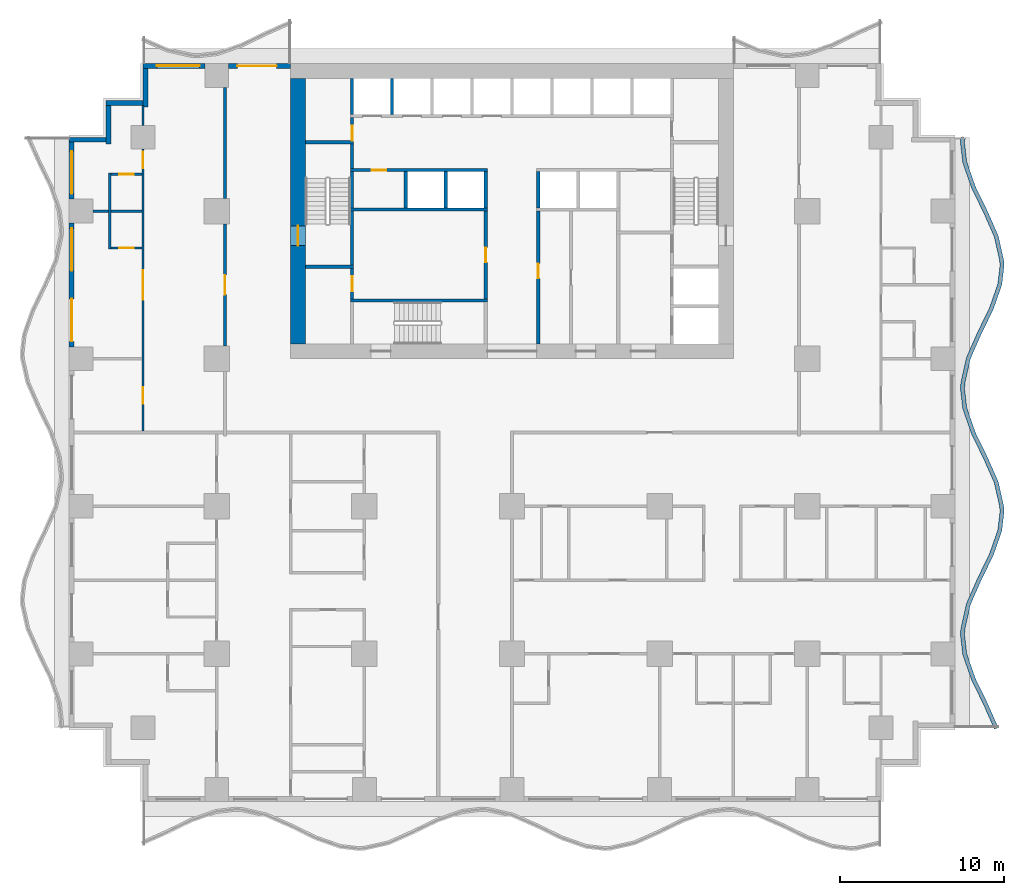
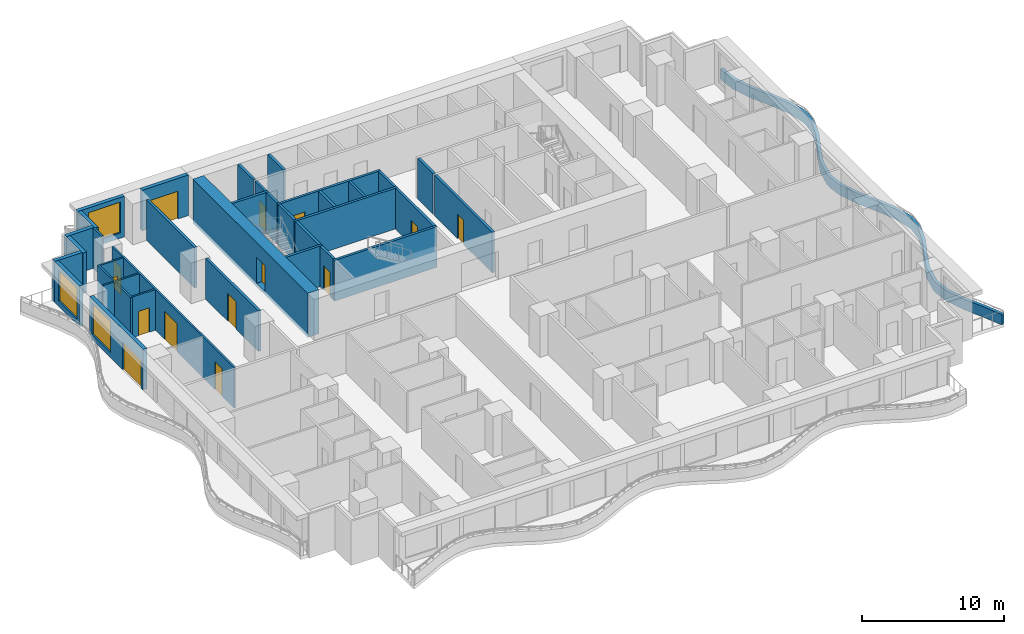
# One storey, part 5 of 14: 37 walls, 14 doors, 3 windows, 17 openings.
"""IFC4 building model written with IfcOpenShell, lengths in metres."""

from ifc_helpers import new_model, si_unit, direction, frame, frame_2d, origin, place, context, subcontext, project, spatial, polyline, rectangle, outline, extrude, material, layer, layer_set, type_object, element, fill, save


model = new_model("IFC4")

# Units and contexts
model_context = context("Model", 3, precision=1e-05, world=origin(), true_north=direction((0.0, 1.0)))
body_context = subcontext(model_context, "Body", "Model", "MODEL_VIEW")
ifc_project = project(units=[si_unit("LENGTHUNIT", "METRE"), si_unit("AREAUNIT", "SQUARE_METRE"), si_unit("VOLUMEUNIT", "CUBIC_METRE"), si_unit("PLANEANGLEUNIT", "RADIAN"), si_unit("MASSUNIT", "GRAM", prefix="KILO")], contexts=[model_context])

# Site, building, storey
site_placement = place(None, origin())
site = spatial("IfcSite", under=ifc_project, at=site_placement, CompositionType="ELEMENT")
building_placement = place(site_placement, origin())
building = spatial("IfcBuilding", under=site, at=building_placement, Name="Orbiselva Terraces", CompositionType="ELEMENT")
storey_placement = place(building_placement, frame((0.0, 0.0, 26.4)))
storey = spatial("IfcBuildingStorey", under=building, at=storey_placement, Name="L06", CompositionType="ELEMENT", Elevation=26.4)

# Wall, opening, door
ifc_material_1 = material(Name="Concrete C80/95", Category="concrete")
ifc_layer_1 = layer(ifc_material_1, 0.9)
ifc_layer_set_1 = layer_set([ifc_layer_1], Name="Concrete C80/95")
wall_type_1 = type_object("IfcWallType", Name="CORE WALL 900", PredefinedType="SHEAR", material=ifc_layer_set_1)
wall_1_placement = place(storey_placement, frame((-13.05, 21.6, -0.3), z_axis=(0.0, 0.0, 1.0), x_axis=(0.0, -1.0, 0.0)))
wall_1 = element("IfcWall", 1, at=wall_1_placement, inside=storey, type_object=wall_type_1, Name="Core wall L06 west", PredefinedType="SHEAR", context=body_context, shape_type="SweptSolid", body=[
    extrude(rectangle(XDim=16.2, YDim=0.9, at=frame_2d((8.1, 0.0))), origin(), (0.0, 0.0, 1.0), 3.8),
])
opening_1_placement = place(wall_1_placement, frame((9.0, 0.0, 0.3)))
opening_1 = element("IfcOpeningElement", 2, at=opening_1_placement, cuts=wall_1, Name="Opening DS1200", PredefinedType="OPENING", context=body_context, shape_type="SweptSolid", body=[
    extrude(rectangle(XDim=1.2, YDim=2.2, at=frame_2d((0.6, 1.1))), frame((0.0, 0.46, 0.0), z_axis=(0.0, -1.0, 0.0), x_axis=(1.0, 0.0, 0.0)), (0.0, 0.0, 1.0), 0.92),
])
ifc_material_2 = material(Name="Steel fire door", Category="steel")
door_type_1 = type_object("IfcDoorType", Name="STAIR DOOR 1200", OperationType="NOTDEFINED", PredefinedType="DOOR", material=ifc_material_2)
door_1_placement = place(opening_1_placement, frame((1.2, 0.0, 0.0), z_axis=(0.0, 0.0, 1.0), x_axis=(-1.0, 0.0, 0.0)))
door_1 = element("IfcDoor", 3, at=door_1_placement, inside=storey, type_object=door_type_1, Name="L06 EXIT STAIR S1 door", OperationType="SINGLE_SWING_RIGHT", OverallHeight=2.2, OverallWidth=1.2, PredefinedType="DOOR", context=body_context, shape_type="SweptSolid", body=[
    extrude(rectangle(XDim=1.2, YDim=2.2, at=frame_2d((0.6, 1.1))), frame((0.0, 0.025, 0.0), z_axis=(0.0, -1.0, 0.0), x_axis=(1.0, 0.0, 0.0)), (0.0, 0.0, 1.0), 0.05),
])
fill(opening_1, door_1)

ifc_material_3 = material(Name="Masonry blockwork", Category="masonry")
ifc_layer_2 = layer(ifc_material_3, 0.2)
ifc_layer_set_2 = layer_set([ifc_layer_2], Name="Masonry blockwork")
wall_type_2 = type_object("IfcWallType", Name="CORE-WALL-PARTITION-200", PredefinedType="PARTITIONING", material=ifc_layer_set_2)
wall_2_placement = place(storey_placement, frame((-9.75, 8.15, 0.0), z_axis=(0.0, 0.0, 1.0), x_axis=(0.0, 1.0, 0.0)))
wall_2 = element("IfcWall", 4, at=wall_2_placement, inside=storey, type_object=wall_type_2, Name="L06 core wall 05", PredefinedType="PARTITIONING", context=body_context, shape_type="SweptSolid", body=[
    extrude(rectangle(XDim=1.85, YDim=0.2, at=frame_2d((0.925, 0.0))), origin(), (0.0, 0.0, 1.0), 3.5),
])
opening_2_placement = place(wall_2_placement, frame((0.475, 0.0, 0.0)))
opening_2 = element("IfcOpeningElement", 5, at=opening_2_placement, cuts=wall_2, Name="Opening DR900", PredefinedType="OPENING", context=body_context, shape_type="SweptSolid", body=[
    extrude(rectangle(XDim=0.9, YDim=2.1, at=frame_2d((0.45, 1.05))), frame((0.0, 0.11, 0.0), z_axis=(0.0, -1.0, 0.0), x_axis=(1.0, 0.0, 0.0)), (0.0, 0.0, 1.0), 0.22),
])
door_type_2 = type_object("IfcDoorType", Name="ROOM DOOR 900", OperationType="NOTDEFINED", PredefinedType="DOOR", material=ifc_material_2)
door_2_placement = place(opening_2_placement, origin())
door_2 = element("IfcDoor", 6, at=door_2_placement, inside=storey, type_object=door_type_2, Name="L06 ACCESSIBLE WC door", OperationType="SINGLE_SWING_RIGHT", OverallHeight=2.1, OverallWidth=0.9, PredefinedType="DOOR", context=body_context, shape_type="SweptSolid", body=[
    extrude(rectangle(XDim=0.9, YDim=2.1, at=frame_2d((0.45, 1.05))), frame((0.0, 0.025, 0.0), z_axis=(0.0, -1.0, 0.0), x_axis=(1.0, 0.0, 0.0)), (0.0, 0.0, 1.0), 0.05),
])
fill(opening_2, door_2)

wall_3_placement = place(storey_placement, frame((-9.75, 17.8, 0.0), z_axis=(0.0, 0.0, 1.0), x_axis=(0.0, 1.0, 0.0)))
wall_3 = element("IfcWall", 7, at=wall_3_placement, inside=storey, type_object=wall_type_2, Name="L06 core wall 11", PredefinedType="PARTITIONING", context=body_context, shape_type="SweptSolid", body=[
    extrude(rectangle(XDim=1.4, YDim=0.2, at=frame_2d((0.7, 0.0))), origin(), (0.0, 0.0, 1.0), 3.5),
])
opening_3_placement = place(wall_3_placement, origin())
opening_3 = element("IfcOpeningElement", 8, at=opening_3_placement, cuts=wall_3, Name="Opening DR900", PredefinedType="OPENING", context=body_context, shape_type="SweptSolid", body=[
    extrude(rectangle(XDim=0.9, YDim=2.1, at=frame_2d((0.45, 1.05))), frame((0.0, 0.11, 0.0), z_axis=(0.0, -1.0, 0.0), x_axis=(1.0, 0.0, 0.0)), (0.0, 0.0, 1.0), 0.22),
])
door_3_placement = place(opening_3_placement, origin())
door_3 = element("IfcDoor", 9, at=door_3_placement, inside=storey, type_object=door_type_2, Name="L06 COMMS RISER ROOM door", OperationType="SINGLE_SWING_LEFT", OverallHeight=2.1, OverallWidth=0.9, PredefinedType="DOOR", context=body_context, shape_type="SweptSolid", body=[
    extrude(rectangle(XDim=0.9, YDim=2.1, at=frame_2d((0.45, 1.05))), frame((0.0, 0.025, 0.0), z_axis=(0.0, -1.0, 0.0), x_axis=(1.0, 0.0, 0.0)), (0.0, 0.0, 1.0), 0.05),
])
fill(opening_3, door_3)

# Walls
ifc_material_4 = material(Name="Concrete C40/50", Category="concrete")
ifc_layer_3 = layer(ifc_material_4, 0.2)
ifc_layer_set_3 = layer_set([ifc_layer_3], Name="Concrete C40/50")
wall_type_3 = type_object("IfcWallType", Name="CORE-WALL-SHAFT-200", PredefinedType="PARTITIONING", material=ifc_layer_set_3)
for number, where, z_axis, x_axis, name in (
    (10, (-9.75, 19.4, 0.0), (0.0, 0.0, 1.0), (0.0, 1.0, 0.0), "L06 core wall 13"),
    (11, (-7.3125, 19.4, 0.0), (0.0, 0.0, 1.0), (0.0, 1.0, 0.0), "L06 core wall 14"),
    (12, (-6.475, 13.7, 0.0), (0.0, 0.0, 1.0), (0.0, 1.0, 0.0), "L06 core wall 15"),
    (13, (-4.0375, 13.7, 0.0), (0.0, 0.0, 1.0), (0.0, 1.0, 0.0), "L06 core wall 17"),
    (14, (-1.6, 13.7, 0.0), (0.0, 0.0, 1.0), (0.0, 1.0, 0.0), "L06 core wall 21"),
    (15, (1.6, 13.7, 0.0), (0.0, 0.0, 1.0), (0.0, 1.0, 0.0), "L06 core wall 25"),
):
    element("IfcWall", number, at=place(storey_placement, frame(where, z_axis=z_axis, x_axis=x_axis)), inside=storey, type_object=wall_type_3, Name=name, PredefinedType="PARTITIONING", context=body_context, shape_type="SweptSolid", body=[
        extrude(rectangle(XDim=2.2, YDim=0.2, at=frame_2d((1.1, 0.0))), origin(), (0.0, 0.0, 1.0), 3.5),
    ])
ifc_material_5 = material(Name="Concrete C60/75", Category="concrete")
ifc_layer_4 = layer(ifc_material_5, 0.2)
ifc_layer_set_4 = layer_set([ifc_layer_4], Name="Concrete C60/75")
wall_type_4 = type_object("IfcWallType", Name="CORE-WALL-SHEAR-200", PredefinedType="SHEAR", material=ifc_layer_set_4)
for number, where, z_axis, x_axis, name in (
    (16, (-12.6, 10.1, 0.0), (0.0, 0.0, 1.0), (1.0, 0.0, 0.0), "L06 core wall 01"),
    (17, (-12.6, 17.7, 0.0), (0.0, 0.0, 1.0), (1.0, 0.0, 0.0), "L06 core wall 02"),
):
    element("IfcWall", number, at=place(storey_placement, frame(where, z_axis=z_axis, x_axis=x_axis)), inside=storey, type_object=wall_type_4, Name=name, PredefinedType="SHEAR", context=body_context, shape_type="SweptSolid", body=[
        extrude(rectangle(XDim=2.95, YDim=0.2, at=frame_2d((1.475, 0.0))), origin(), (0.0, 0.0, 1.0), 3.5),
    ])
wall_4_placement = place(storey_placement, frame((-9.85, 8.05, 0.0), z_axis=(0.0, 0.0, 1.0), x_axis=(1.0, 0.0, 0.0)))
element("IfcWall", 18, at=wall_4_placement, inside=storey, type_object=wall_type_4, Name="L06 core wall 04", PredefinedType="SHEAR", context=body_context, shape_type="SweptSolid", body=[
    extrude(rectangle(XDim=8.35, YDim=0.2, at=frame_2d((4.175, 0.0))), origin(), (0.0, 0.0, 1.0), 3.5),
])
wall_5_placement = place(storey_placement, frame((-9.75, 10.2, 0.0), z_axis=(0.0, 0.0, 1.0), x_axis=(0.0, 1.0, 0.0)))
element("IfcWall", 19, at=wall_5_placement, inside=storey, type_object=wall_type_4, Name="L06 core wall 06", PredefinedType="SHEAR", context=body_context, shape_type="SweptSolid", body=[
    extrude(rectangle(XDim=3.3, YDim=0.2, at=frame_2d((1.65, 0.0))), origin(), (0.0, 0.0, 1.0), 3.5),
])
wall_6_placement = place(storey_placement, frame((-9.85, 13.6, 0.0), z_axis=(0.0, 0.0, 1.0), x_axis=(1.0, 0.0, 0.0)))
element("IfcWall", 20, at=wall_6_placement, inside=storey, type_object=wall_type_4, Name="L06 core wall 07", PredefinedType="SHEAR", context=body_context, shape_type="SweptSolid", body=[
    extrude(rectangle(XDim=8.35, YDim=0.2, at=frame_2d((4.175, 0.0))), origin(), (0.0, 0.0, 1.0), 3.5),
])
wall_7_placement = place(storey_placement, frame((-9.75, 13.7, 0.0), z_axis=(0.0, 0.0, 1.0), x_axis=(0.0, 1.0, 0.0)))
element("IfcWall", 21, at=wall_7_placement, inside=storey, type_object=wall_type_4, Name="L06 core wall 08", PredefinedType="SHEAR", context=body_context, shape_type="SweptSolid", body=[
    extrude(rectangle(XDim=2.2, YDim=0.2, at=frame_2d((1.1, 0.0))), origin(), (0.0, 0.0, 1.0), 3.5),
])

# Wall, opening, door
wall_8_placement = place(storey_placement, frame((-1.5, 16.0, 0.0), z_axis=(0.0, 0.0, 1.0), x_axis=(-1.0, 0.0, 0.0)))
wall_8 = element("IfcWall", 22, at=wall_8_placement, inside=storey, type_object=wall_type_4, Name="L06 core wall 09", PredefinedType="SHEAR", context=body_context, shape_type="SweptSolid", body=[
    extrude(rectangle(XDim=8.35, YDim=0.2, at=frame_2d((4.175, 0.0))), origin(), (0.0, 0.0, 1.0), 3.5),
])
opening_4_placement = place(wall_8_placement, frame((6.1625, 0.0, 0.0)))
opening_4 = element("IfcOpeningElement", 23, at=opening_4_placement, cuts=wall_8, Name="Opening DR900", PredefinedType="OPENING", context=body_context, shape_type="SweptSolid", body=[
    extrude(rectangle(XDim=0.9, YDim=2.1, at=frame_2d((0.45, 1.05))), frame((0.0, 0.11, 0.0), z_axis=(0.0, -1.0, 0.0), x_axis=(1.0, 0.0, 0.0)), (0.0, 0.0, 1.0), 0.22),
])
door_4_placement = place(opening_4_placement, origin())
door_4 = element("IfcDoor", 24, at=door_4_placement, inside=storey, type_object=door_type_2, Name="L06 IT ROOM door", OperationType="SINGLE_SWING_RIGHT", OverallHeight=2.1, OverallWidth=0.9, PredefinedType="DOOR", context=body_context, shape_type="SweptSolid", body=[
    extrude(rectangle(XDim=0.9, YDim=2.1, at=frame_2d((0.45, 1.05))), frame((0.0, 0.025, 0.0), z_axis=(0.0, -1.0, 0.0), x_axis=(1.0, 0.0, 0.0)), (0.0, 0.0, 1.0), 0.05),
])
fill(opening_4, door_4)

# Wall
wall_9_placement = place(storey_placement, frame((-9.75, 16.1, 0.0), z_axis=(0.0, 0.0, 1.0), x_axis=(0.0, 1.0, 0.0)))
element("IfcWall", 25, at=wall_9_placement, inside=storey, type_object=wall_type_4, Name="L06 core wall 10", PredefinedType="SHEAR", context=body_context, shape_type="SweptSolid", body=[
    extrude(rectangle(XDim=1.5, YDim=0.2, at=frame_2d((0.75, 0.0))), origin(), (0.0, 0.0, 1.0), 3.5),
])

# Wall, opening, door
wall_10_placement = place(storey_placement, frame((-1.6, 8.15, 0.0), z_axis=(0.0, 0.0, 1.0), x_axis=(0.0, 1.0, 0.0)))
wall_10 = element("IfcWall", 26, at=wall_10_placement, inside=storey, type_object=wall_type_4, Name="L06 core wall 20", PredefinedType="SHEAR", context=body_context, shape_type="SweptSolid", body=[
    extrude(rectangle(XDim=5.35, YDim=0.2, at=frame_2d((2.675, 0.0))), origin(), (0.0, 0.0, 1.0), 3.5),
])
opening_5_placement = place(wall_10_placement, frame((2.225, 0.0, 0.0)))
opening_5 = element("IfcOpeningElement", 27, at=opening_5_placement, cuts=wall_10, Name="Opening DR900", PredefinedType="OPENING", context=body_context, shape_type="SweptSolid", body=[
    extrude(rectangle(XDim=0.9, YDim=2.1, at=frame_2d((0.45, 1.05))), frame((0.0, 0.11, 0.0), z_axis=(0.0, -1.0, 0.0), x_axis=(1.0, 0.0, 0.0)), (0.0, 0.0, 1.0), 0.22),
])
door_5_placement = place(opening_5_placement, origin())
door_5 = element("IfcDoor", 28, at=door_5_placement, inside=storey, type_object=door_type_2, Name="L06 LINEN STORE door", OperationType="SINGLE_SWING_RIGHT", OverallHeight=2.1, OverallWidth=0.9, PredefinedType="DOOR", context=body_context, shape_type="SweptSolid", body=[
    extrude(rectangle(XDim=0.9, YDim=2.1, at=frame_2d((0.45, 1.05))), frame((0.0, 0.025, 0.0), z_axis=(0.0, -1.0, 0.0), x_axis=(1.0, 0.0, 0.0)), (0.0, 0.0, 1.0), 0.05),
])
fill(opening_5, door_5)

wall_11_placement = place(storey_placement, frame((1.6, 13.5, 0.0), z_axis=(0.0, 0.0, 1.0), x_axis=(0.0, -1.0, 0.0)))
wall_11 = element("IfcWall", 29, at=wall_11_placement, inside=storey, type_object=wall_type_4, Name="L06 core wall 23", PredefinedType="SHEAR", context=body_context, shape_type="SweptSolid", body=[
    extrude(rectangle(XDim=8.1, YDim=0.2, at=frame_2d((4.05, 0.0))), origin(), (0.0, 0.0, 1.0), 3.5),
])
opening_6_placement = place(wall_11_placement, frame((3.2, 0.0, 0.0)))
opening_6 = element("IfcOpeningElement", 30, at=opening_6_placement, cuts=wall_11, Name="Opening DR900", PredefinedType="OPENING", context=body_context, shape_type="SweptSolid", body=[
    extrude(rectangle(XDim=0.9, YDim=2.1, at=frame_2d((0.45, 1.05))), frame((0.0, 0.11, 0.0), z_axis=(0.0, -1.0, 0.0), x_axis=(1.0, 0.0, 0.0)), (0.0, 0.0, 1.0), 0.22),
])
door_6_placement = place(opening_6_placement, origin())
door_6 = element("IfcDoor", 31, at=door_6_placement, inside=storey, type_object=door_type_2, Name="L06 COMMS ROOM door", OperationType="SINGLE_SWING_LEFT", OverallHeight=2.1, OverallWidth=0.9, PredefinedType="DOOR", context=body_context, shape_type="SweptSolid", body=[
    extrude(rectangle(XDim=0.9, YDim=2.1, at=frame_2d((0.45, 1.05))), frame((0.0, 0.025, 0.0), z_axis=(0.0, -1.0, 0.0), x_axis=(1.0, 0.0, 0.0)), (0.0, 0.0, 1.0), 0.05),
])
fill(opening_6, door_6)

# Wall
ifc_layer_5 = layer(ifc_material_4, 0.25)
ifc_layer_set_5 = layer_set([ifc_layer_5], Name="Concrete C40/50")
wall_type_5 = type_object("IfcWallType", Name="ENV-PLANTER-250x900", PredefinedType="USERDEFINED", material=ifc_layer_set_5)
wall_12_placement = place(storey_placement, origin())
element("IfcWall", 32, at=wall_12_placement, inside=storey, type_object=wall_type_5, Name="Balcony planter L06 E", ObjectType="PLANTER", PredefinedType="USERDEFINED", context=body_context, shape_type="SweptSolid", body=[
    extrude(outline(polyline([(29.648528, -18.0), (28.987721, -16.5), (28.255211, -15.0), (27.730792, -13.5), (27.6, -12.375), (27.614774, -12.0), (27.951472, -10.5), (28.612279, -9.0), (29.344789, -7.5), (29.869208, -6.0), (30.0, -4.875), (29.985226, -4.5), (29.648528, -3.0), (28.987721, -1.5), (28.255211, 0.0), (27.730792, 1.5), (27.6, 2.625), (27.614774, 3.0), (27.951472, 4.5), (28.612279, 6.0), (29.344789, 7.5), (29.869208, 9.0), (30.0, 10.125), (29.985226, 10.5), (29.648528, 12.0), (28.987721, 13.5), (28.255211, 15.0), (27.730792, 16.5), (27.6, 17.625), (27.614774, 18.0), (27.364968, 18.009842), (27.349429, 17.615428), (27.485662, 16.443629), (28.024089, 14.90356), (28.760919, 13.394714), (29.40993, 11.921492), (29.736315, 10.467435), (29.749429, 10.134572), (29.624078, 9.056371), (29.113667, 7.59644), (28.385477, 6.105286), (27.712874, 4.578508), (27.365863, 3.032565), (27.349429, 2.615428), (27.485662, 1.443629), (28.024089, -0.09644), (28.760919, -1.605286), (29.40993, -3.078508), (29.736315, -4.532565), (29.749429, -4.865428), (29.624078, -5.943629), (29.113667, -7.40356), (28.385477, -8.894714), (27.712874, -10.421492), (27.365863, -11.967435), (27.349429, -12.384572), (27.485662, -13.556371), (28.024089, -15.09644), (28.760919, -16.605286), (29.419745, -18.100788), (29.648528, -18.0)])), origin(), (0.0, 0.0, 1.0), 0.9),
])

# Wall, opening, door
ifc_material_6 = material(Name="Terracotta cladding on masonry backing", Category="masonry")
ifc_layer_6 = layer(ifc_material_6, 0.3)
ifc_layer_set_6 = layer_set([ifc_layer_6], Name="Terracotta cladding on masonry backing")
wall_type_6 = type_object("IfcWallType", Name="ENV-WALL-TERRACOTTA-300", PredefinedType="SOLIDWALL", material=ifc_layer_set_6)
wall_13_placement = place(storey_placement, frame((-17.275, 22.35, 0.0), z_axis=(0.0, 0.0, 1.0), x_axis=(1.0, 0.0, 0.0)))
wall_13 = element("IfcWall", 33, at=wall_13_placement, inside=storey, type_object=wall_type_6, Name="Facade wall L06 NW", PredefinedType="SOLIDWALL", context=body_context, shape_type="SweptSolid", body=[
    extrude(rectangle(XDim=3.775, YDim=0.3, at=frame_2d((1.8875, 0.0))), origin(), (0.0, 0.0, 1.0), 3.5),
])
opening_7_placement = place(wall_13_placement, frame((0.525, 0.0, 0.0)))
opening_7 = element("IfcOpeningElement", 34, at=opening_7_placement, cuts=wall_13, Name="Opening Z1-B-E09", PredefinedType="OPENING", context=body_context, shape_type="SweptSolid", body=[
    extrude(rectangle(XDim=2.4, YDim=2.4, at=frame_2d((1.2, 1.2))), frame((0.0, 0.16, 0.0), z_axis=(0.0, -1.0, 0.0), x_axis=(1.0, 0.0, 0.0)), (0.0, 0.0, 1.0), 0.32),
])
ifc_material_7 = material(Name="Clear low-e glazing in aluminium frame", Category="aluminium")
door_type_3 = type_object("IfcDoorType", Name="BALCONY DOOR 2400 X 2400", OperationType="DOUBLE_DOOR_SLIDING", PredefinedType="DOOR", material=ifc_material_7)
door_7_placement = place(opening_7_placement, origin())
door_7 = element("IfcDoor", 35, at=door_7_placement, inside=storey, type_object=door_type_3, Name="Z1-B-E09", OperationType="SINGLE_SWING_LEFT", OverallHeight=2.4, OverallWidth=2.4, PredefinedType="DOOR", context=body_context, shape_type="SweptSolid", body=[
    extrude(rectangle(XDim=2.4, YDim=2.4, at=frame_2d((1.2, 1.2))), frame((0.0, 0.025, 0.0), z_axis=(0.0, -1.0, 0.0), x_axis=(1.0, 0.0, 0.0)), (0.0, 0.0, 1.0), 0.05),
])
fill(opening_7, door_7)

# Wall, opening, window
wall_14_placement = place(storey_placement, frame((-22.5, 22.35, 0.0), z_axis=(0.0, 0.0, 1.0), x_axis=(1.0, 0.0, 0.0)))
wall_14 = element("IfcWall", 36, at=wall_14_placement, inside=storey, type_object=wall_type_6, Name="Facade wall L06 NW", PredefinedType="SOLIDWALL", context=body_context, shape_type="SweptSolid", body=[
    extrude(rectangle(XDim=3.775, YDim=0.3, at=frame_2d((1.8875, 0.0))), origin(), (0.0, 0.0, 1.0), 3.5),
])
opening_8_placement = place(wall_14_placement, frame((0.85, 0.0, 0.45)))
opening_8 = element("IfcOpeningElement", 37, at=opening_8_placement, cuts=wall_14, Name="Opening WN1", PredefinedType="OPENING", context=body_context, shape_type="SweptSolid", body=[
    extrude(rectangle(XDim=2.6, YDim=2.65, at=frame_2d((1.3, 1.325))), frame((0.0, 0.16, 0.0), z_axis=(0.0, -1.0, 0.0), x_axis=(1.0, 0.0, 0.0)), (0.0, 0.0, 1.0), 0.32),
])
window_type = type_object("IfcWindowType", Name="WINDOW 2600 X 2650 S450", PartitioningType="TRIPLE_PANEL_VERTICAL", PredefinedType="WINDOW", material=ifc_material_7)
window_1_placement = place(opening_8_placement, origin())
window_1 = element("IfcWindow", 38, at=window_1_placement, inside=storey, type_object=window_type, Name="Window L06 NW", OverallHeight=2.65, OverallWidth=2.6, PartitioningType="SINGLE_PANEL", PredefinedType="WINDOW", context=body_context, shape_type="SweptSolid", body=[
    extrude(rectangle(XDim=2.6, YDim=2.65, at=frame_2d((1.3, 1.325))), frame((0.0, 0.03, 0.0), z_axis=(0.0, -1.0, 0.0), x_axis=(1.0, 0.0, 0.0)), (0.0, 0.0, 1.0), 0.06),
])
fill(opening_8, window_1)

# Walls
wall_15_placement = place(storey_placement, frame((-22.35, 19.85, 0.0), z_axis=(0.0, 0.0, 1.0), x_axis=(0.0, 1.0, 0.0)))
element("IfcWall", 39, at=wall_15_placement, inside=storey, type_object=wall_type_6, Name="Facade wall L06 STEP", PredefinedType="SOLIDWALL", context=body_context, shape_type="SweptSolid", body=[
    extrude(rectangle(XDim=2.35, YDim=0.3, at=frame_2d((1.175, 0.0))), origin(), (0.0, 0.0, 1.0), 3.5),
])
wall_16_placement = place(storey_placement, frame((-24.75, 20.1, 0.0), z_axis=(0.0, 0.0, 1.0), x_axis=(1.0, 0.0, 0.0)))
element("IfcWall", 40, at=wall_16_placement, inside=storey, type_object=wall_type_6, Name="Facade wall L06 STEP", PredefinedType="SOLIDWALL", context=body_context, shape_type="SweptSolid", body=[
    extrude(rectangle(XDim=2.25, YDim=0.3, at=frame_2d((1.125, 0.0))), origin(), (0.0, 0.0, 1.0), 3.5),
])
wall_17_placement = place(storey_placement, frame((-24.6, 17.6, 0.0), z_axis=(0.0, 0.0, 1.0), x_axis=(0.0, 1.0, 0.0)))
element("IfcWall", 41, at=wall_17_placement, inside=storey, type_object=wall_type_6, Name="Facade wall L06 STEP", PredefinedType="SOLIDWALL", context=body_context, shape_type="SweptSolid", body=[
    extrude(rectangle(XDim=2.35, YDim=0.3, at=frame_2d((1.175, 0.0))), origin(), (0.0, 0.0, 1.0), 3.5),
])
wall_18_placement = place(storey_placement, frame((-27.0, 17.85, 0.0), z_axis=(0.0, 0.0, 1.0), x_axis=(1.0, 0.0, 0.0)))
element("IfcWall", 42, at=wall_18_placement, inside=storey, type_object=wall_type_6, Name="Facade wall L06 STEP", PredefinedType="SOLIDWALL", context=body_context, shape_type="SweptSolid", body=[
    extrude(rectangle(XDim=2.25, YDim=0.3, at=frame_2d((1.125, 0.0))), origin(), (0.0, 0.0, 1.0), 3.5),
])

# Wall, opening, window
wall_19_placement = place(storey_placement, frame((-26.85, 14.225, 0.0), z_axis=(0.0, 0.0, 1.0), x_axis=(0.0, 1.0, 0.0)))
wall_19 = element("IfcWall", 43, at=wall_19_placement, inside=storey, type_object=wall_type_6, Name="Facade wall L06 W", PredefinedType="SOLIDWALL", context=body_context, shape_type="SweptSolid", body=[
    extrude(rectangle(XDim=3.475, YDim=0.3, at=frame_2d((1.7375, 0.0))), origin(), (0.0, 0.0, 1.0), 3.5),
])
opening_9_placement = place(wall_19_placement, frame((0.325, 0.0, 0.45)))
opening_9 = element("IfcOpeningElement", 44, at=opening_9_placement, cuts=wall_19, Name="Opening WN1", PredefinedType="OPENING", context=body_context, shape_type="SweptSolid", body=[
    extrude(rectangle(XDim=2.6, YDim=2.65, at=frame_2d((1.3, 1.325))), frame((0.0, 0.16, 0.0), z_axis=(0.0, -1.0, 0.0), x_axis=(1.0, 0.0, 0.0)), (0.0, 0.0, 1.0), 0.32),
])
window_2_placement = place(opening_9_placement, origin())
window_2 = element("IfcWindow", 45, at=window_2_placement, inside=storey, type_object=window_type, Name="Window L06 W", OverallHeight=2.65, OverallWidth=2.6, PartitioningType="SINGLE_PANEL", PredefinedType="WINDOW", context=body_context, shape_type="SweptSolid", body=[
    extrude(rectangle(XDim=2.6, YDim=2.65, at=frame_2d((1.3, 1.325))), frame((0.0, 0.03, 0.0), z_axis=(0.0, -1.0, 0.0), x_axis=(1.0, 0.0, 0.0)), (0.0, 0.0, 1.0), 0.06),
])
fill(opening_9, window_2)

# Wall, openings, door, window
wall_20_placement = place(storey_placement, frame((-26.85, 5.225, 0.0), z_axis=(0.0, 0.0, 1.0), x_axis=(0.0, 1.0, 0.0)))
wall_20 = element("IfcWall", 46, at=wall_20_placement, inside=storey, type_object=wall_type_6, Name="Facade wall L06 W", PredefinedType="SOLIDWALL", context=body_context, shape_type="SweptSolid", body=[
    extrude(rectangle(XDim=7.55, YDim=0.3, at=frame_2d((3.775, 0.0))), origin(), (0.0, 0.0, 1.0), 3.5),
])
opening_10_placement = place(wall_20_placement, frame((4.625, 0.0, 0.45)))
opening_10 = element("IfcOpeningElement", 47, at=opening_10_placement, cuts=wall_20, Name="Opening WN1", PredefinedType="OPENING", context=body_context, shape_type="SweptSolid", body=[
    extrude(rectangle(XDim=2.6, YDim=2.65, at=frame_2d((1.3, 1.325))), frame((0.0, 0.16, 0.0), z_axis=(0.0, -1.0, 0.0), x_axis=(1.0, 0.0, 0.0)), (0.0, 0.0, 1.0), 0.32),
])
opening_11_placement = place(wall_20_placement, frame((0.325, 0.0, 0.0)))
opening_11 = element("IfcOpeningElement", 48, at=opening_11_placement, cuts=wall_20, Name="Opening Z1-B-E10", PredefinedType="OPENING", context=body_context, shape_type="SweptSolid", body=[
    extrude(rectangle(XDim=2.6, YDim=2.4, at=frame_2d((1.3, 1.2))), frame((0.0, 0.16, 0.0), z_axis=(0.0, -1.0, 0.0), x_axis=(1.0, 0.0, 0.0)), (0.0, 0.0, 1.0), 0.32),
])
door_type_4 = type_object("IfcDoorType", Name="BALCONY DOOR 2600 X 2400", OperationType="DOUBLE_DOOR_SLIDING", PredefinedType="DOOR", material=ifc_material_7)
door_8_placement = place(opening_11_placement, origin())
door_8 = element("IfcDoor", 49, at=door_8_placement, inside=storey, type_object=door_type_4, Name="Z1-B-E10", OperationType="SINGLE_SWING_LEFT", OverallHeight=2.4, OverallWidth=2.6, PredefinedType="DOOR", context=body_context, shape_type="SweptSolid", body=[
    extrude(rectangle(XDim=2.6, YDim=2.4, at=frame_2d((1.3, 1.2))), frame((0.0, 0.025, 0.0), z_axis=(0.0, -1.0, 0.0), x_axis=(1.0, 0.0, 0.0)), (0.0, 0.0, 1.0), 0.05),
])
fill(opening_11, door_8)
window_3_placement = place(opening_10_placement, origin())
window_3 = element("IfcWindow", 50, at=window_3_placement, inside=storey, type_object=window_type, Name="Window L06 W", OverallHeight=2.65, OverallWidth=2.6, PartitioningType="SINGLE_PANEL", PredefinedType="WINDOW", context=body_context, shape_type="SweptSolid", body=[
    extrude(rectangle(XDim=2.6, YDim=2.65, at=frame_2d((1.3, 1.325))), frame((0.0, 0.03, 0.0), z_axis=(0.0, -1.0, 0.0), x_axis=(1.0, 0.0, 0.0)), (0.0, 0.0, 1.0), 0.06),
])
fill(opening_10, window_3)

# Wall, opening, door
ifc_material_8 = material(Name="Plasterboard on steel stud partition", Category="steel")
ifc_layer_7 = layer(ifc_material_8, 0.2)
ifc_layer_set_7 = layer_set([ifc_layer_7], Name="Plasterboard on steel stud partition")
wall_type_7 = type_object("IfcWallType", Name="UNIT-ENTRANCE-WALL-200", PredefinedType="PARTITIONING", material=ifc_layer_set_7)
wall_21_placement = place(storey_placement, frame((-17.5, 5.275, 0.0), z_axis=(0.0, 0.0, 1.0), x_axis=(0.0, 1.0, 0.0)))
wall_21 = element("IfcWall", 51, at=wall_21_placement, inside=storey, type_object=wall_type_7, Name="PARTITION L06-050", PredefinedType="PARTITIONING", context=body_context, shape_type="SweptSolid", body=[
    extrude(rectangle(XDim=7.45, YDim=0.2, at=frame_2d((3.725, 0.0))), origin(), (0.0, 0.0, 1.0), 3.5),
])
opening_12_placement = place(wall_21_placement, frame((3.125, 0.0, 0.0)))
opening_12 = element("IfcOpeningElement", 52, at=opening_12_placement, cuts=wall_21, Name="Opening Z1-B-01", PredefinedType="OPENING", context=body_context, shape_type="SweptSolid", body=[
    extrude(rectangle(XDim=1.2, YDim=2.4, at=frame_2d((0.6, 1.2))), frame((0.0, 0.11, 0.0), z_axis=(0.0, -1.0, 0.0), x_axis=(1.0, 0.0, 0.0)), (0.0, 0.0, 1.0), 0.22),
])
ifc_material_9 = material(Name="Painted timber door leaf", Category="wood")
door_type_5 = type_object("IfcDoorType", Name="ENTRANCE DOOR 1200", OperationType="NOTDEFINED", PredefinedType="DOOR", material=ifc_material_9)
door_9_placement = place(opening_12_placement, origin())
door_9 = element("IfcDoor", 53, at=door_9_placement, inside=storey, type_object=door_type_5, Name="Z1-B-01", OperationType="SINGLE_SWING_LEFT", OverallHeight=2.4, OverallWidth=1.2, PredefinedType="DOOR", context=body_context, shape_type="SweptSolid", body=[
    extrude(rectangle(XDim=1.2, YDim=2.4, at=frame_2d((0.6, 1.2))), frame((0.0, 0.025, 0.0), z_axis=(0.0, -1.0, 0.0), x_axis=(1.0, 0.0, 0.0)), (0.0, 0.0, 1.0), 0.05),
])
fill(opening_12, door_9)

# Wall
wall_22_placement = place(storey_placement, frame((-17.5, 14.275, 0.0), z_axis=(0.0, 0.0, 1.0), x_axis=(0.0, 1.0, 0.0)))
element("IfcWall", 54, at=wall_22_placement, inside=storey, type_object=wall_type_7, Name="PARTITION L06-051", PredefinedType="PARTITIONING", context=body_context, shape_type="SweptSolid", body=[
    extrude(rectangle(XDim=6.775, YDim=0.2, at=frame_2d((3.3875, 0.0))), origin(), (0.0, 0.0, 1.0), 3.5),
])

# Wall, opening, door
ifc_layer_8 = layer(ifc_material_8, 0.15)
ifc_layer_set_8 = layer_set([ifc_layer_8], Name="Plasterboard on steel stud partition")
wall_type_8 = type_object("IfcWallType", Name="UNIT-PARTITION-150", PredefinedType="PARTITIONING", material=ifc_layer_set_8)
wall_23_placement = place(storey_placement, frame((-24.45, 11.25, 0.0), z_axis=(0.0, 0.0, 1.0), x_axis=(1.0, 0.0, 0.0)))
wall_23 = element("IfcWall", 55, at=wall_23_placement, inside=storey, type_object=wall_type_8, Name="PARTITION L06-036", PredefinedType="PARTITIONING", context=body_context, shape_type="SweptSolid", body=[
    extrude(rectangle(XDim=1.875, YDim=0.15, at=frame_2d((0.9375, 0.0))), origin(), (0.0, 0.0, 1.0), 3.5),
])
opening_13_placement = place(wall_23_placement, frame((0.5, 0.0, 0.0)))
opening_13 = element("IfcOpeningElement", 56, at=opening_13_placement, cuts=wall_23, Name="Opening Z1-B-04", PredefinedType="OPENING", context=body_context, shape_type="SweptSolid", body=[
    extrude(rectangle(XDim=0.9, YDim=2.1, at=frame_2d((0.45, 1.05))), frame((0.0, 0.085, 0.0), z_axis=(0.0, -1.0, 0.0), x_axis=(1.0, 0.0, 0.0)), (0.0, 0.0, 1.0), 0.17),
])
door_type_6 = type_object("IfcDoorType", Name="BATH DOOR 900", OperationType="NOTDEFINED", PredefinedType="DOOR", material=ifc_material_9)
door_10_placement = place(opening_13_placement, origin())
door_10 = element("IfcDoor", 57, at=door_10_placement, inside=storey, type_object=door_type_6, Name="Z1-B-04", OperationType="SINGLE_SWING_RIGHT", OverallHeight=2.1, OverallWidth=0.9, PredefinedType="DOOR", context=body_context, shape_type="SweptSolid", body=[
    extrude(rectangle(XDim=0.9, YDim=2.1, at=frame_2d((0.45, 1.05))), frame((0.0, 0.025, 0.0), z_axis=(0.0, -1.0, 0.0), x_axis=(1.0, 0.0, 0.0)), (0.0, 0.0, 1.0), 0.05),
])
fill(opening_13, door_10)

# Walls
wall_24_placement = place(storey_placement, frame((-25.55, 13.5, 0.0), z_axis=(0.0, 0.0, 1.0), x_axis=(1.0, 0.0, 0.0)))
element("IfcWall", 58, at=wall_24_placement, inside=storey, type_object=wall_type_8, Name="PARTITION L06-038", PredefinedType="PARTITIONING", context=body_context, shape_type="SweptSolid", body=[
    extrude(rectangle(XDim=0.95, YDim=0.15, at=frame_2d((0.475, 0.0))), origin(), (0.0, 0.0, 1.0), 3.5),
])
wall_25_placement = place(storey_placement, frame((-24.45, 13.5, 0.0), z_axis=(0.0, 0.0, 1.0), x_axis=(1.0, 0.0, 0.0)))
element("IfcWall", 59, at=wall_25_placement, inside=storey, type_object=wall_type_8, Name="PARTITION L06-039", PredefinedType="PARTITIONING", context=body_context, shape_type="SweptSolid", body=[
    extrude(rectangle(XDim=1.875, YDim=0.15, at=frame_2d((0.9375, 0.0))), origin(), (0.0, 0.0, 1.0), 3.5),
])

# Wall, opening, door
wall_26_placement = place(storey_placement, frame((-22.575, 15.75, 0.0), z_axis=(0.0, 0.0, 1.0), x_axis=(-1.0, 0.0, 0.0)))
wall_26 = element("IfcWall", 60, at=wall_26_placement, inside=storey, type_object=wall_type_8, Name="PARTITION L06-040", PredefinedType="PARTITIONING", context=body_context, shape_type="SweptSolid", body=[
    extrude(rectangle(XDim=1.875, YDim=0.15, at=frame_2d((0.9375, 0.0))), origin(), (0.0, 0.0, 1.0), 3.5),
])
opening_14_placement = place(wall_26_placement, frame((0.475, 0.0, 0.0)))
opening_14 = element("IfcOpeningElement", 61, at=opening_14_placement, cuts=wall_26, Name="Opening Z1-B-06", PredefinedType="OPENING", context=body_context, shape_type="SweptSolid", body=[
    extrude(rectangle(XDim=0.9, YDim=2.1, at=frame_2d((0.45, 1.05))), frame((0.0, 0.085, 0.0), z_axis=(0.0, -1.0, 0.0), x_axis=(1.0, 0.0, 0.0)), (0.0, 0.0, 1.0), 0.17),
])
door_11_placement = place(opening_14_placement, origin())
door_11 = element("IfcDoor", 62, at=door_11_placement, inside=storey, type_object=door_type_6, Name="Z1-B-06", OperationType="SINGLE_SWING_LEFT", OverallHeight=2.1, OverallWidth=0.9, PredefinedType="DOOR", context=body_context, shape_type="SweptSolid", body=[
    extrude(rectangle(XDim=0.9, YDim=2.1, at=frame_2d((0.45, 1.05))), frame((0.0, 0.025, 0.0), z_axis=(0.0, -1.0, 0.0), x_axis=(1.0, 0.0, 0.0)), (0.0, 0.0, 1.0), 0.05),
])
fill(opening_14, door_11)

# Wall
wall_27_placement = place(storey_placement, frame((-24.525, 11.175, 0.0), z_axis=(0.0, 0.0, 1.0), x_axis=(0.0, 1.0, 0.0)))
element("IfcWall", 63, at=wall_27_placement, inside=storey, type_object=wall_type_8, Name="PARTITION L06-041", PredefinedType="PARTITIONING", context=body_context, shape_type="SweptSolid", body=[
    extrude(rectangle(XDim=4.65, YDim=0.15, at=frame_2d((2.325, 0.0))), origin(), (0.0, 0.0, 1.0), 3.5),
])

# Wall, openings, doors
wall_28_placement = place(storey_placement, frame((-22.5, 0.1, 0.0), z_axis=(0.0, 0.0, 1.0), x_axis=(0.0, 1.0, 0.0)))
wall_28 = element("IfcWall", 64, at=wall_28_placement, inside=storey, type_object=wall_type_8, Name="PARTITION L06-042", PredefinedType="PARTITIONING", context=body_context, shape_type="SweptSolid", body=[
    extrude(rectangle(XDim=17.175, YDim=0.15, at=frame_2d((8.5875, 0.0))), origin(), (0.0, 0.0, 1.0), 3.5),
])
opening_15_placement = place(wall_28_placement, frame((1.65, 0.0, 0.0)))
opening_15 = element("IfcOpeningElement", 65, at=opening_15_placement, cuts=wall_28, Name="Opening Z1-B-02", PredefinedType="OPENING", context=body_context, shape_type="SweptSolid", body=[
    extrude(rectangle(XDim=1.0, YDim=2.4, at=frame_2d((0.5, 1.2))), frame((0.0, 0.085, 0.0), z_axis=(0.0, -1.0, 0.0), x_axis=(1.0, 0.0, 0.0)), (0.0, 0.0, 1.0), 0.17),
])
opening_16_placement = place(wall_28_placement, frame((8.0, 0.0, 0.0)))
opening_16 = element("IfcOpeningElement", 66, at=opening_16_placement, cuts=wall_28, Name="Opening Z1-B-03", PredefinedType="OPENING", context=body_context, shape_type="SweptSolid", body=[
    extrude(rectangle(XDim=1.8, YDim=2.4, at=frame_2d((0.9, 1.2))), frame((0.0, 0.085, 0.0), z_axis=(0.0, -1.0, 0.0), x_axis=(1.0, 0.0, 0.0)), (0.0, 0.0, 1.0), 0.17),
])
opening_17_placement = place(wall_28_placement, frame((16.025, 0.0, 0.0)))
opening_17 = element("IfcOpeningElement", 67, at=opening_17_placement, cuts=wall_28, Name="Opening Z1-B-05", PredefinedType="OPENING", context=body_context, shape_type="SweptSolid", body=[
    extrude(rectangle(XDim=1.0, YDim=2.4, at=frame_2d((0.5, 1.2))), frame((0.0, 0.085, 0.0), z_axis=(0.0, -1.0, 0.0), x_axis=(1.0, 0.0, 0.0)), (0.0, 0.0, 1.0), 0.17),
])
door_type_7 = type_object("IfcDoorType", Name="DOUBLE DOOR 1800", OperationType="NOTDEFINED", PredefinedType="DOOR", material=ifc_material_9)
door_12_placement = place(opening_16_placement, origin())
door_12 = element("IfcDoor", 68, at=door_12_placement, inside=storey, type_object=door_type_7, Name="Z1-B-03", OperationType="DOUBLE_DOOR_SINGLE_SWING", OverallHeight=2.4, OverallWidth=1.8, PredefinedType="DOOR", context=body_context, shape_type="SweptSolid", body=[
    extrude(rectangle(XDim=1.8, YDim=2.4, at=frame_2d((0.9, 1.2))), frame((0.0, 0.025, 0.0), z_axis=(0.0, -1.0, 0.0), x_axis=(1.0, 0.0, 0.0)), (0.0, 0.0, 1.0), 0.05),
])
fill(opening_16, door_12)
door_type_8 = type_object("IfcDoorType", Name="ROOM DOOR 1000", OperationType="NOTDEFINED", PredefinedType="DOOR", material=ifc_material_9)
door_13_placement = place(opening_15_placement, origin())
door_13 = element("IfcDoor", 69, at=door_13_placement, inside=storey, type_object=door_type_8, Name="Z1-B-02", OperationType="SINGLE_SWING_LEFT", OverallHeight=2.4, OverallWidth=1.0, PredefinedType="DOOR", context=body_context, shape_type="SweptSolid", body=[
    extrude(rectangle(XDim=1.0, YDim=2.4, at=frame_2d((0.5, 1.2))), frame((0.0, 0.025, 0.0), z_axis=(0.0, -1.0, 0.0), x_axis=(1.0, 0.0, 0.0)), (0.0, 0.0, 1.0), 0.05),
])
fill(opening_15, door_13)
door_14_placement = place(opening_17_placement, origin())
door_14 = element("IfcDoor", 70, at=door_14_placement, inside=storey, type_object=door_type_8, Name="Z1-B-05", OperationType="SINGLE_SWING_RIGHT", OverallHeight=2.4, OverallWidth=1.0, PredefinedType="DOOR", context=body_context, shape_type="SweptSolid", body=[
    extrude(rectangle(XDim=1.0, YDim=2.4, at=frame_2d((0.5, 1.2))), frame((0.0, 0.025, 0.0), z_axis=(0.0, -1.0, 0.0), x_axis=(1.0, 0.0, 0.0)), (0.0, 0.0, 1.0), 0.05),
])
fill(opening_17, door_14)

# Wall
wall_29_placement = place(storey_placement, frame((-22.5, 18.725, 0.0), z_axis=(0.0, 0.0, 1.0), x_axis=(0.0, 1.0, 0.0)))
element("IfcWall", 71, at=wall_29_placement, inside=storey, type_object=wall_type_8, Name="PARTITION L06-043", PredefinedType="PARTITIONING", context=body_context, shape_type="SweptSolid", body=[
    extrude(rectangle(XDim=1.225, YDim=0.15, at=frame_2d((0.6125, 0.0))), origin(), (0.0, 0.0, 1.0), 3.5),
])

save(model, "model.ifc")
